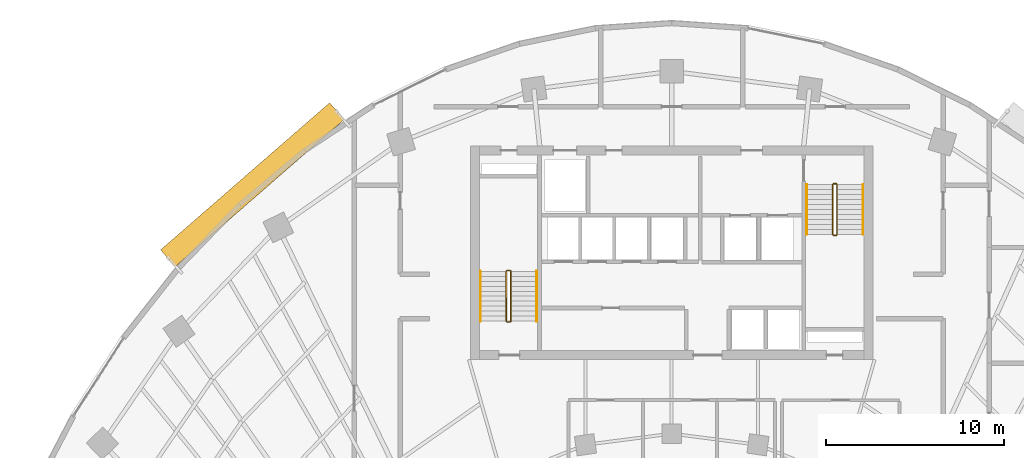
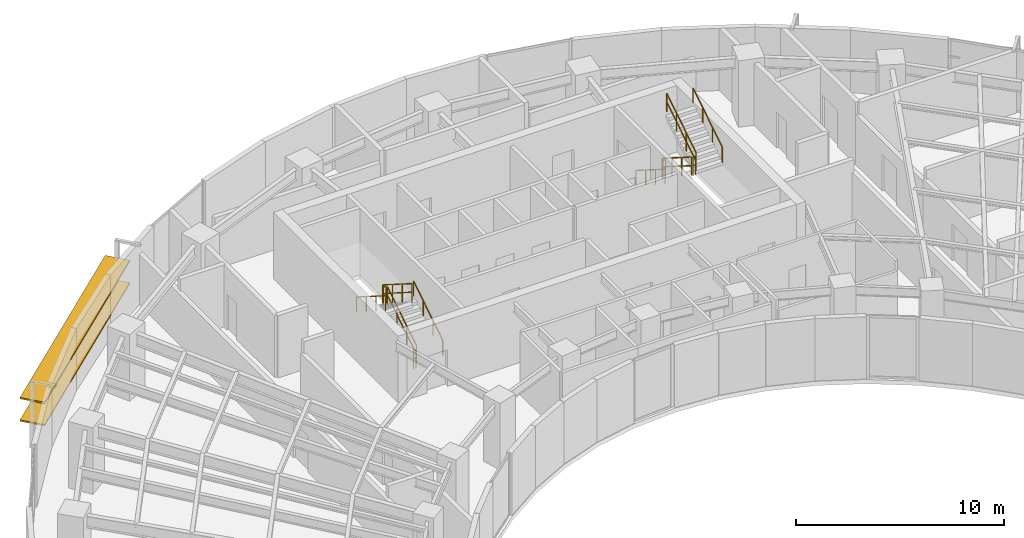
# One storey, part 12 of 13: 12 railings, 2 shading devices.
"""IFC4 building model written with IfcOpenShell, lengths in metres."""

from ifc_helpers import new_model, si_unit, direction, frame, origin, origin_2d, place, context, subcontext, project, spatial, rectangle, extrude, source, transform, mapped, material, material_profile, profile_set, type_object, element, save


model = new_model("IFC4")

# Units and contexts
model_context = context("Model", 3, precision=1e-05, world=origin(), true_north=direction((0.0, 1.0)))
body_context = subcontext(model_context, "Body", "Model", "MODEL_VIEW")
ifc_project = project(units=[si_unit("LENGTHUNIT", "METRE"), si_unit("AREAUNIT", "SQUARE_METRE"), si_unit("VOLUMEUNIT", "CUBIC_METRE"), si_unit("PLANEANGLEUNIT", "RADIAN"), si_unit("MASSUNIT", "GRAM", prefix="KILO")], contexts=[model_context])

# Site, building, storey
site_placement = place(None, origin())
site = spatial("IfcSite", under=ifc_project, at=site_placement, CompositionType="ELEMENT")
building_placement = place(site_placement, origin())
building = spatial("IfcBuilding", under=site, at=building_placement, Name="Breltana Convention Tower", CompositionType="ELEMENT")
storey_placement = place(building_placement, frame((0.0, 0.0, 127.199951171875)))
storey = spatial("IfcBuildingStorey", under=building, at=storey_placement, Name="L30", CompositionType="ELEMENT", Elevation=127.199951171875)

# Railings
ifc_material_1 = material(Name="Steel S275 Painted", Category="steel")
railing_type_1 = type_object("IfcRailingType", Name="RL-STAIR-GUARD-1100", PredefinedType="GUARDRAIL", material=ifc_material_1)
railing_1_placement = place(storey_placement, frame((38.9599609375, 62.360107421875, 0.17724609375)))
element("IfcRailing", 1, at=railing_1_placement, inside=storey, type_object=railing_type_1, Name="L30 ST-1 stair guard 1", PredefinedType="GUARDRAIL", context=body_context, shape_type="SweptSolid", body=[
    extrude(rectangle(XDim=0.048095703125, YDim=0.048095703125, at=origin_2d()), frame((0.0, 0.0, 1.076171875), z_axis=(0.0, 0.844887892834, 0.53494340686), x_axis=(-1.0, 0.0, 0.0)), (0.0, 0.0, 1.0), 3.313720703125),
    extrude(rectangle(XDim=0.048095703125, YDim=0.048095703125, at=origin_2d()), frame((0.0, 0.0, 0.572021484375), z_axis=(0.0, 0.844887892834, 0.53494340686), x_axis=(-1.0, 0.0, 0.0)), (0.0, 0.0, 1.0), 3.313720703125),
    extrude(rectangle(XDim=0.0419921875, YDim=0.0419921875, at=origin_2d()), origin(), (0.0, 0.0, 1.0), 1.052001953125),
    extrude(rectangle(XDim=0.0419921875, YDim=0.0419921875, at=origin_2d()), frame((0.0, 0.933349609375, 0.5908203125)), (0.0, 0.0, 1.0), 1.052001953125),
    extrude(rectangle(XDim=0.0419921875, YDim=0.0419921875, at=origin_2d()), frame((0.0, 1.866455078125, 1.181884765625)), (0.0, 0.0, 1.0), 1.052001953125),
    extrude(rectangle(XDim=0.0419921875, YDim=0.0419921875, at=origin_2d()), frame((0.0, 2.7998046875, 1.772705078125)), (0.0, 0.0, 1.0), 1.052001953125),
])
railing_2_placement = place(storey_placement, frame((38.909912109375, 65.2099609375, 1.949951171875)))
element("IfcRailing", 2, at=railing_2_placement, inside=storey, type_object=railing_type_1, Name="L30 ST-1 stair guard 2", PredefinedType="GUARDRAIL", context=body_context, shape_type="SweptSolid", body=[
    extrude(rectangle(XDim=0.048095703125, YDim=0.048095703125, at=origin_2d()), frame((0.0, 0.0, 1.076171875), z_axis=(-1.0, 0.0, 0.0), x_axis=(0.0, -1.0, 0.0)), (0.0, 0.0, 1.0), 0.14990234375),
    extrude(rectangle(XDim=0.048095703125, YDim=0.048095703125, at=origin_2d()), frame((0.0, 0.0, 0.572021484375), z_axis=(-1.0, 0.0, 0.0), x_axis=(0.0, -1.0, 0.0)), (0.0, 0.0, 1.0), 0.14990234375),
    extrude(rectangle(XDim=0.0419921875, YDim=0.0419921875, at=origin_2d()), origin(), (0.0, 0.0, 1.0), 1.052001953125),
    extrude(rectangle(XDim=0.0419921875, YDim=0.0419921875, at=origin_2d()), frame((-0.14990234375, 0.0, 0.0)), (0.0, 0.0, 1.0), 1.052001953125),
])
railing_3_placement = place(storey_placement, frame((38.7099609375, 65.159912109375, 2.12744140625)))
element("IfcRailing", 3, at=railing_3_placement, inside=storey, type_object=railing_type_1, Name="L30 ST-1 stair guard 3", PredefinedType="GUARDRAIL", context=body_context, shape_type="SweptSolid", body=[
    extrude(rectangle(XDim=0.048095703125, YDim=0.048095703125, at=origin_2d()), frame((0.0, 0.0, 1.076171875), z_axis=(0.0, -0.844887892834, 0.53494340686), x_axis=(1.0, 0.0, 0.0)), (0.0, 0.0, 1.0), 3.313720703125),
    extrude(rectangle(XDim=0.048095703125, YDim=0.048095703125, at=origin_2d()), frame((0.0, 0.0, 0.572021484375), z_axis=(0.0, -0.844887892834, 0.53494340686), x_axis=(1.0, 0.0, 0.0)), (0.0, 0.0, 1.0), 3.313720703125),
    extrude(rectangle(XDim=0.0419921875, YDim=0.0419921875, at=origin_2d()), origin(), (0.0, 0.0, 1.0), 1.052001953125),
    extrude(rectangle(XDim=0.0419921875, YDim=0.0419921875, at=origin_2d()), frame((0.0, -0.933349609375, 0.5908203125)), (0.0, 0.0, 1.0), 1.052001953125),
    extrude(rectangle(XDim=0.0419921875, YDim=0.0419921875, at=origin_2d()), frame((0.0, -1.866455078125, 1.181884765625)), (0.0, 0.0, 1.0), 1.052001953125),
    extrude(rectangle(XDim=0.0419921875, YDim=0.0419921875, at=origin_2d()), frame((0.0, -2.7998046875, 1.772705078125)), (0.0, 0.0, 1.0), 1.052001953125),
])
railing_4_placement = place(storey_placement, frame((38.909912109375, 62.31005859375, 0.0)))
element("IfcRailing", 4, at=railing_4_placement, inside=storey, type_object=railing_type_1, Name="L30 ST-1 stair guard 4", PredefinedType="GUARDRAIL", context=body_context, shape_type="SweptSolid", body=[
    extrude(rectangle(XDim=0.048095703125, YDim=0.048095703125, at=origin_2d()), frame((0.0, 0.0, 1.076171875), z_axis=(-1.0, 0.0, 0.0), x_axis=(0.0, -1.0, 0.0)), (0.0, 0.0, 1.0), 0.14990234375),
    extrude(rectangle(XDim=0.048095703125, YDim=0.048095703125, at=origin_2d()), frame((0.0, 0.0, 0.572021484375), z_axis=(-1.0, 0.0, 0.0), x_axis=(0.0, -1.0, 0.0)), (0.0, 0.0, 1.0), 0.14990234375),
    extrude(rectangle(XDim=0.0419921875, YDim=0.0419921875, at=origin_2d()), origin(), (0.0, 0.0, 1.0), 1.052001953125),
    extrude(rectangle(XDim=0.0419921875, YDim=0.0419921875, at=origin_2d()), frame((-0.14990234375, 0.0, 0.0)), (0.0, 0.0, 1.0), 1.052001953125),
])
railing_5_placement = place(storey_placement, frame((57.0400390625, 70.0400390625, 0.17724609375)))
element("IfcRailing", 5, at=railing_5_placement, inside=storey, type_object=railing_type_1, Name="L30 ST-2 stair guard 1", PredefinedType="GUARDRAIL", context=body_context, shape_type="SweptSolid", body=[
    extrude(rectangle(XDim=0.048095703125, YDim=0.048095703125, at=origin_2d()), frame((0.0, 0.0, 1.076171875), z_axis=(0.0, -0.844908973607, 0.534910110503), x_axis=(1.0, 0.0, 0.0)), (0.0, 0.0, 1.0), 3.31396484375),
    extrude(rectangle(XDim=0.048095703125, YDim=0.048095703125, at=origin_2d()), frame((0.0, 0.0, 0.572021484375), z_axis=(0.0, -0.844908973607, 0.534910110503), x_axis=(1.0, 0.0, 0.0)), (0.0, 0.0, 1.0), 3.31396484375),
    extrude(rectangle(XDim=0.0419921875, YDim=0.0419921875, at=origin_2d()), origin(), (0.0, 0.0, 1.0), 1.052001953125),
    extrude(rectangle(XDim=0.0419921875, YDim=0.0419921875, at=origin_2d()), frame((0.0, -0.933349609375, 0.5908203125)), (0.0, 0.0, 1.0), 1.052001953125),
    extrude(rectangle(XDim=0.0419921875, YDim=0.0419921875, at=origin_2d()), frame((0.0, -1.86669921875, 1.181884765625)), (0.0, 0.0, 1.0), 1.052001953125),
    extrude(rectangle(XDim=0.0419921875, YDim=0.0419921875, at=origin_2d()), frame((0.0, -2.800048828125, 1.772705078125)), (0.0, 0.0, 1.0), 1.052001953125),
])
railing_6_placement = place(storey_placement, frame((57.090087890625, 67.18994140625, 1.949951171875)))
element("IfcRailing", 6, at=railing_6_placement, inside=storey, type_object=railing_type_1, Name="L30 ST-2 stair guard 2", PredefinedType="GUARDRAIL", context=body_context, shape_type="SweptSolid", body=[
    extrude(rectangle(XDim=0.048095703125, YDim=0.048095703125, at=origin_2d()), frame((0.0, 0.0, 1.076171875), z_axis=(1.0, 0.0, 0.0), x_axis=(0.0, 1.0, 0.0)), (0.0, 0.0, 1.0), 0.14990234375),
    extrude(rectangle(XDim=0.048095703125, YDim=0.048095703125, at=origin_2d()), frame((0.0, 0.0, 0.572021484375), z_axis=(1.0, 0.0, 0.0), x_axis=(0.0, 1.0, 0.0)), (0.0, 0.0, 1.0), 0.14990234375),
    extrude(rectangle(XDim=0.0419921875, YDim=0.0419921875, at=origin_2d()), origin(), (0.0, 0.0, 1.0), 1.052001953125),
    extrude(rectangle(XDim=0.0419921875, YDim=0.0419921875, at=origin_2d()), frame((0.14990234375, 0.0, 0.0)), (0.0, 0.0, 1.0), 1.052001953125),
])
railing_7_placement = place(storey_placement, frame((57.2900390625, 67.239990234375, 2.12744140625)))
element("IfcRailing", 7, at=railing_7_placement, inside=storey, type_object=railing_type_1, Name="L30 ST-2 stair guard 3", PredefinedType="GUARDRAIL", context=body_context, shape_type="SweptSolid", body=[
    extrude(rectangle(XDim=0.048095703125, YDim=0.048095703125, at=origin_2d()), frame((0.0, 0.0, 1.076171875), z_axis=(0.0, 0.844908973607, 0.534910110503), x_axis=(-1.0, 0.0, 0.0)), (0.0, 0.0, 1.0), 3.31396484375),
    extrude(rectangle(XDim=0.048095703125, YDim=0.048095703125, at=origin_2d()), frame((0.0, 0.0, 0.572021484375), z_axis=(0.0, 0.844908973607, 0.534910110503), x_axis=(-1.0, 0.0, 0.0)), (0.0, 0.0, 1.0), 3.31396484375),
    extrude(rectangle(XDim=0.0419921875, YDim=0.0419921875, at=origin_2d()), origin(), (0.0, 0.0, 1.0), 1.052001953125),
    extrude(rectangle(XDim=0.0419921875, YDim=0.0419921875, at=origin_2d()), frame((0.0, 0.933349609375, 0.5908203125)), (0.0, 0.0, 1.0), 1.052001953125),
    extrude(rectangle(XDim=0.0419921875, YDim=0.0419921875, at=origin_2d()), frame((0.0, 1.86669921875, 1.181884765625)), (0.0, 0.0, 1.0), 1.052001953125),
    extrude(rectangle(XDim=0.0419921875, YDim=0.0419921875, at=origin_2d()), frame((0.0, 2.800048828125, 1.772705078125)), (0.0, 0.0, 1.0), 1.052001953125),
])
railing_8_placement = place(storey_placement, frame((57.090087890625, 70.090087890625, 0.0)))
element("IfcRailing", 8, at=railing_8_placement, inside=storey, type_object=railing_type_1, Name="L30 ST-2 stair guard 4", PredefinedType="GUARDRAIL", context=body_context, shape_type="SweptSolid", body=[
    extrude(rectangle(XDim=0.048095703125, YDim=0.048095703125, at=origin_2d()), frame((0.0, 0.0, 1.076171875), z_axis=(1.0, 0.0, 0.0), x_axis=(0.0, 1.0, 0.0)), (0.0, 0.0, 1.0), 0.14990234375),
    extrude(rectangle(XDim=0.048095703125, YDim=0.048095703125, at=origin_2d()), frame((0.0, 0.0, 0.572021484375), z_axis=(1.0, 0.0, 0.0), x_axis=(0.0, 1.0, 0.0)), (0.0, 0.0, 1.0), 0.14990234375),
    extrude(rectangle(XDim=0.0419921875, YDim=0.0419921875, at=origin_2d()), origin(), (0.0, 0.0, 1.0), 1.052001953125),
    extrude(rectangle(XDim=0.0419921875, YDim=0.0419921875, at=origin_2d()), frame((0.14990234375, 0.0, 0.0)), (0.0, 0.0, 1.0), 1.052001953125),
])
ifc_material_2 = material(Name="Stainless Steel 316L", Category="steel")
railing_type_2 = type_object("IfcRailingType", Name="RL-STAIR-HANDRAIL-900", PredefinedType="HANDRAIL", material=ifc_material_2)
railing_9_placement = place(storey_placement, frame((40.419921875, 62.360107421875, 0.17724609375)))
element("IfcRailing", 9, at=railing_9_placement, inside=storey, type_object=railing_type_2, Name="L30 ST-1 stair handrail 1", PredefinedType="HANDRAIL", context=body_context, shape_type="SweptSolid", body=[
    extrude(rectangle(XDim=0.048095703125, YDim=0.048095703125, at=origin_2d()), frame((0.0, 0.0, 0.8759765625), z_axis=(0.0, 0.844887892834, 0.53494340686), x_axis=(-1.0, 0.0, 0.0)), (0.0, 0.0, 1.0), 3.313720703125),
    extrude(rectangle(XDim=0.0419921875, YDim=0.0419921875, at=origin_2d()), origin(), (0.0, 0.0, 1.0), 0.851806640625),
    extrude(rectangle(XDim=0.0419921875, YDim=0.0419921875, at=origin_2d()), frame((0.0, 0.933349609375, 0.5908203125)), (0.0, 0.0, 1.0), 0.851806640625),
    extrude(rectangle(XDim=0.0419921875, YDim=0.0419921875, at=origin_2d()), frame((0.0, 1.866455078125, 1.181884765625)), (0.0, 0.0, 1.0), 0.851806640625),
    extrude(rectangle(XDim=0.0419921875, YDim=0.0419921875, at=origin_2d()), frame((0.0, 2.7998046875, 1.772705078125)), (0.0, 0.0, 1.0), 0.851806640625),
])
railing_10_placement = place(storey_placement, frame((37.25, 65.159912109375, 2.12744140625)))
element("IfcRailing", 10, at=railing_10_placement, inside=storey, type_object=railing_type_2, Name="L30 ST-1 stair handrail 2", PredefinedType="HANDRAIL", context=body_context, shape_type="SweptSolid", body=[
    extrude(rectangle(XDim=0.048095703125, YDim=0.048095703125, at=origin_2d()), frame((0.0, 0.0, 0.8759765625), z_axis=(0.0, -0.844887892834, 0.53494340686), x_axis=(1.0, 0.0, 0.0)), (0.0, 0.0, 1.0), 3.313720703125),
    extrude(rectangle(XDim=0.0419921875, YDim=0.0419921875, at=origin_2d()), origin(), (0.0, 0.0, 1.0), 0.851806640625),
    extrude(rectangle(XDim=0.0419921875, YDim=0.0419921875, at=origin_2d()), frame((0.0, -0.933349609375, 0.5908203125)), (0.0, 0.0, 1.0), 0.851806640625),
    extrude(rectangle(XDim=0.0419921875, YDim=0.0419921875, at=origin_2d()), frame((0.0, -1.866455078125, 1.181884765625)), (0.0, 0.0, 1.0), 0.851806640625),
    extrude(rectangle(XDim=0.0419921875, YDim=0.0419921875, at=origin_2d()), frame((0.0, -2.7998046875, 1.772705078125)), (0.0, 0.0, 1.0), 0.851806640625),
])
railing_11_placement = place(storey_placement, frame((55.580078125, 70.0400390625, 0.17724609375)))
element("IfcRailing", 11, at=railing_11_placement, inside=storey, type_object=railing_type_2, Name="L30 ST-2 stair handrail 1", PredefinedType="HANDRAIL", context=body_context, shape_type="SweptSolid", body=[
    extrude(rectangle(XDim=0.048095703125, YDim=0.048095703125, at=origin_2d()), frame((0.0, 0.0, 0.8759765625), z_axis=(0.0, -0.844908973607, 0.534910110503), x_axis=(1.0, 0.0, 0.0)), (0.0, 0.0, 1.0), 3.31396484375),
    extrude(rectangle(XDim=0.0419921875, YDim=0.0419921875, at=origin_2d()), origin(), (0.0, 0.0, 1.0), 0.851806640625),
    extrude(rectangle(XDim=0.0419921875, YDim=0.0419921875, at=origin_2d()), frame((0.0, -0.933349609375, 0.5908203125)), (0.0, 0.0, 1.0), 0.851806640625),
    extrude(rectangle(XDim=0.0419921875, YDim=0.0419921875, at=origin_2d()), frame((0.0, -1.86669921875, 1.181884765625)), (0.0, 0.0, 1.0), 0.851806640625),
    extrude(rectangle(XDim=0.0419921875, YDim=0.0419921875, at=origin_2d()), frame((0.0, -2.800048828125, 1.772705078125)), (0.0, 0.0, 1.0), 0.851806640625),
])
railing_12_placement = place(storey_placement, frame((58.75, 67.239990234375, 2.12744140625)))
element("IfcRailing", 12, at=railing_12_placement, inside=storey, type_object=railing_type_2, Name="L30 ST-2 stair handrail 2", PredefinedType="HANDRAIL", context=body_context, shape_type="SweptSolid", body=[
    extrude(rectangle(XDim=0.048095703125, YDim=0.048095703125, at=origin_2d()), frame((0.0, 0.0, 0.8759765625), z_axis=(0.0, 0.844908973607, 0.534910110503), x_axis=(-1.0, 0.0, 0.0)), (0.0, 0.0, 1.0), 3.31396484375),
    extrude(rectangle(XDim=0.0419921875, YDim=0.0419921875, at=origin_2d()), origin(), (0.0, 0.0, 1.0), 0.851806640625),
    extrude(rectangle(XDim=0.0419921875, YDim=0.0419921875, at=origin_2d()), frame((0.0, 0.933349609375, 0.5908203125)), (0.0, 0.0, 1.0), 0.851806640625),
    extrude(rectangle(XDim=0.0419921875, YDim=0.0419921875, at=origin_2d()), frame((0.0, 1.86669921875, 1.181884765625)), (0.0, 0.0, 1.0), 0.851806640625),
    extrude(rectangle(XDim=0.0419921875, YDim=0.0419921875, at=origin_2d()), frame((0.0, 2.800048828125, 1.772705078125)), (0.0, 0.0, 1.0), 0.851806640625),
])

# Shading devices
ifc_material_3 = material(Name="Limestone Warm Buff Honed", Category="masonry")
ifc_material_profile = material_profile(ifc_material_3, rectangle(XDim=1.25, YDim=0.090087890625, at=origin_2d()), Name="STN-LVR-1250X90")
ifc_profile_set = profile_set([ifc_material_profile], Name="Limestone Warm Buff Honed")
shading_device_type = type_object("IfcShadingDeviceType", Name="SHD-OUTER-SKIN-LIMESTONE-1250", PredefinedType="JALOUSIE", material=ifc_profile_set)
shared_shape = source(origin(), body_context, "Body", "SweptSolid", [
    extrude(rectangle(XDim=1.25, YDim=0.090087890625, at=origin_2d()), origin(), (0.0, 0.0, 1.0), 12.59423828125),
])
for number, where, z_axis, x_axis, name in (
    (13, (19.6826171875, 65.894775390625, 1.31396484375), (0.754366759368, 0.656453191295, 0.0), (-0.656453191295, 0.754366759368, 0.0), "L30 outer skin warm limestone louvre 1.1"),
    (14, (19.6826171875, 65.894775390625, 2.6279296875), (0.754366759368, 0.656453191295, 0.0), (-0.656453191295, 0.754366759368, 0.0), "L30 outer skin warm limestone louvre 1.2"),
):
    element("IfcShadingDevice", number, at=place(storey_placement, frame(where, z_axis=z_axis, x_axis=x_axis)), inside=storey, type_object=shading_device_type, Name=name, PredefinedType="JALOUSIE", context=body_context, shape_type="MappedRepresentation", body=[
        mapped(shared_shape, transform((0.0, 0.0, 0.0), scale=1.0)),
    ])

save(model, "model.ifc")
